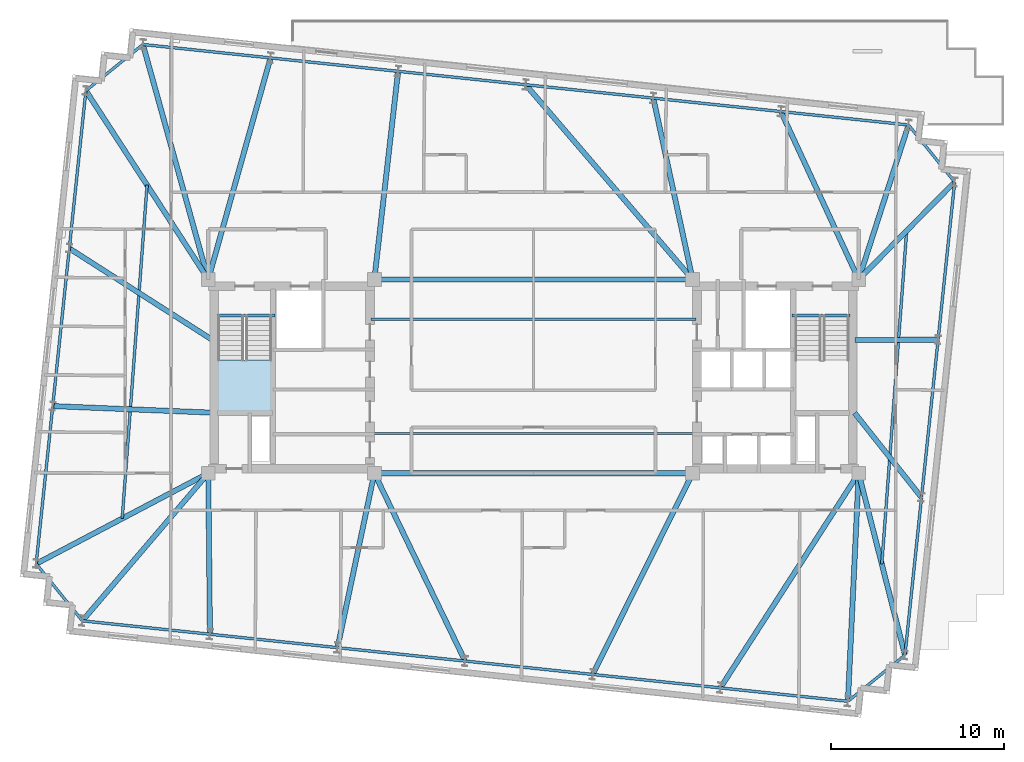
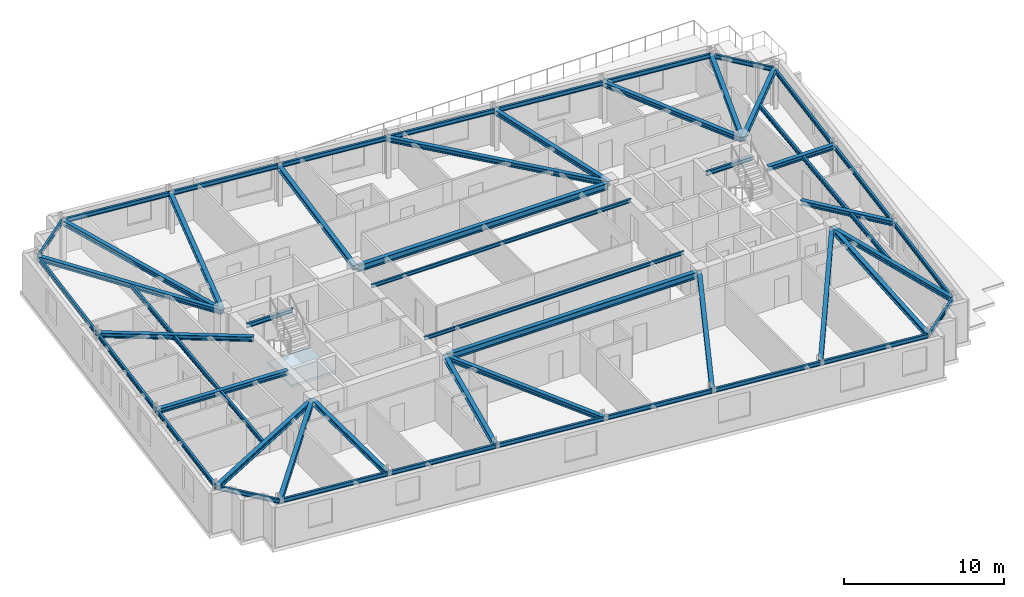
# One storey, part 4 of 13: 52 beams, 1 slab, 1 element without a shape of its own.
"""IFC4 building model written with IfcOpenShell, lengths in metres."""

from ifc_helpers import new_model, si_unit, direction, frame, origin, origin_2d, place, context, subcontext, project, spatial, polyline, i_section, outline, extrude, material, layer, layer_set, material_profile, profile_set, type_object, element, aggregate, save


model = new_model("IFC4")

# Units and contexts
model_context = context("Model", 3, precision=1e-05, world=origin(), true_north=direction((0.0, 1.0)))
body_context = subcontext(model_context, "Body", "Model", "MODEL_VIEW")
ifc_project = project(units=[si_unit("LENGTHUNIT", "METRE"), si_unit("AREAUNIT", "SQUARE_METRE"), si_unit("VOLUMEUNIT", "CUBIC_METRE"), si_unit("PLANEANGLEUNIT", "RADIAN"), si_unit("MASSUNIT", "GRAM", prefix="KILO")], contexts=[model_context])

# Site, building, storey
site_placement = place(None, origin())
site = spatial("IfcSite", under=ifc_project, at=site_placement, CompositionType="ELEMENT")
building_placement = place(site_placement, origin())
building = spatial("IfcBuilding", under=site, at=building_placement, Name="Qobustan Lattice House", CompositionType="ELEMENT")
storey_placement = place(building_placement, frame((0.0, 0.0, 179.64990234375)))
storey = spatial("IfcBuildingStorey", under=building, at=storey_placement, Name="L50", CompositionType="ELEMENT", Elevation=179.64990234375)

# Beams
ifc_material_1 = material(Name="Steel S355", Category="steel")
ifc_material_profile_1 = material_profile(ifc_material_1, i_section(OverallWidth=0.300048828125, OverallDepth=0.5, WebThickness=0.014404296875, FlangeThickness=0.028076171875, FilletRadius=0.027099609375, at=origin_2d()), Name="HEB500")
ifc_profile_set_1 = profile_set([ifc_material_profile_1], Name="Steel S355")
beam_type_1 = type_object("IfcBeamType", Name="BM-CG-HEB500", PredefinedType="USERDEFINED", material=ifc_profile_set_1)
for number, where, z_axis, x_axis, name in (
    (1, (-9.050048828125, -5.60009765625, 2.7900390625), (1.0, 0.0, 0.0), (0.0, 1.0, 0.0), "L50 core spine girder CG-CS"),
    (2, (-9.050048828125, 5.60009765625, 2.7900390625), (1.0, 0.0, 0.0), (0.0, 1.0, 0.0), "L50 core spine girder CG-CN"),
):
    element("IfcBeam", number, at=place(storey_placement, frame(where, z_axis=z_axis, x_axis=x_axis)), inside=storey, type_object=beam_type_1, Name=name, ObjectType="GIRDER", PredefinedType="USERDEFINED", context=body_context, shape_type="SweptSolid", body=[
        extrude(i_section(OverallWidth=0.300048828125, OverallDepth=0.5, WebThickness=0.014404296875, FlangeThickness=0.028076171875, FilletRadius=0.027099609375, at=origin_2d()), origin(), (0.0, 0.0, 1.0), 18.10009765625),
    ])
ifc_material_2 = material(Name="Steel S355", Category="steel")
ifc_material_profile_2 = material_profile(ifc_material_2, i_section(OverallWidth=0.300048828125, OverallDepth=0.360107421875, WebThickness=0.012451171875, FlangeThickness=0.0224609375, FilletRadius=0.027099609375, at=origin_2d()), Name="HEB360")
ifc_profile_set_2 = profile_set([ifc_material_profile_2], Name="Steel S355")
beam_type_2 = type_object("IfcBeamType", Name="BM-FLG-HEB360", PredefinedType="USERDEFINED", material=ifc_profile_set_2)
beam_1_placement = place(storey_placement, frame((-26.062744140625, -14.113525390625, 2.860107421875), z_axis=(0.649006911642, 0.760782510736, 0.0), x_axis=(-0.760782510736, 0.649006911642, 0.0)))
element("IfcBeam", 3, at=beam_1_placement, inside=storey, type_object=beam_type_2, Name="L50 primary floor girder RAD-S1W", ObjectType="GIRDER", PredefinedType="USERDEFINED", context=body_context, shape_type="SweptSolid", body=[
    extrude(i_section(OverallWidth=0.300048828125, OverallDepth=0.360107421875, WebThickness=0.012451171875, FlangeThickness=0.0224609375, FilletRadius=0.027099609375, at=origin_2d()), origin(), (0.0, 0.0, 1.0), 11.16552734375),
])
beam_2_placement = place(storey_placement, frame((-18.703125, -14.8828125, 2.860107421875), z_axis=(-0.010442468578, 0.999945475939, 0.0), x_axis=(-0.999945475939, -0.010442468578, 0.0)))
element("IfcBeam", 4, at=beam_2_placement, inside=storey, type_object=beam_type_2, Name="L50 primary floor girder RAD-S2", ObjectType="GIRDER", PredefinedType="USERDEFINED", context=body_context, shape_type="SweptSolid", body=[
    extrude(i_section(OverallWidth=0.300048828125, OverallDepth=0.360107421875, WebThickness=0.012451171875, FlangeThickness=0.0224609375, FilletRadius=0.027099609375, at=origin_2d()), origin(), (0.0, 0.0, 1.0), 9.25830078125),
])
beam_3_placement = place(storey_placement, frame((-11.32177734375, -15.658447265625, 2.860107421875), z_axis=(0.206411213198, 0.978465334627, 0.0), x_axis=(-0.978465334627, 0.206411213198, 0.0)))
element("IfcBeam", 5, at=beam_3_placement, inside=storey, type_object=beam_type_2, Name="L50 primary floor girder RAD-S3", ObjectType="GIRDER", PredefinedType="USERDEFINED", context=body_context, shape_type="SweptSolid", body=[
    extrude(i_section(OverallWidth=0.300048828125, OverallDepth=0.360107421875, WebThickness=0.012451171875, FlangeThickness=0.0224609375, FilletRadius=0.027099609375, at=origin_2d()), origin(), (0.0, 0.0, 1.0), 10.2548828125),
])
beam_4_placement = place(storey_placement, frame((-3.9619140625, -16.435791015625, 2.860107421875), z_axis=(-0.435229353302, 0.900319615483, 0.0), x_axis=(-0.900319615483, -0.435229353302, 0.0)))
element("IfcBeam", 6, at=beam_4_placement, inside=storey, type_object=beam_type_2, Name="L50 primary floor girder RAD-S4", ObjectType="GIRDER", PredefinedType="USERDEFINED", context=body_context, shape_type="SweptSolid", body=[
    extrude(i_section(OverallWidth=0.300048828125, OverallDepth=0.360107421875, WebThickness=0.012451171875, FlangeThickness=0.0224609375, FilletRadius=0.027099609375, at=origin_2d()), origin(), (0.0, 0.0, 1.0), 12.010498046875),
])
beam_5_placement = place(storey_placement, frame((3.436279296875, -17.211181640625, 2.860107421875), z_axis=(0.444630337125, 0.895714163843, 0.0), x_axis=(-0.895714163843, 0.444630337125, 0.0)))
element("IfcBeam", 7, at=beam_5_placement, inside=storey, type_object=beam_type_2, Name="L50 primary floor girder RAD-S5", ObjectType="GIRDER", PredefinedType="USERDEFINED", context=body_context, shape_type="SweptSolid", body=[
    extrude(i_section(OverallWidth=0.300048828125, OverallDepth=0.360107421875, WebThickness=0.012451171875, FlangeThickness=0.0224609375, FilletRadius=0.027099609375, at=origin_2d()), origin(), (0.0, 0.0, 1.0), 12.938232421875),
])
beam_6_placement = place(storey_placement, frame((10.814697265625, -17.98779296875, 2.860107421875), z_axis=(0.541810491961, 0.840500678644, 0.0), x_axis=(-0.840500678644, 0.541810491961, 0.0)))
element("IfcBeam", 8, at=beam_6_placement, inside=storey, type_object=beam_type_2, Name="L50 primary floor girder RAD-S6", ObjectType="GIRDER", PredefinedType="USERDEFINED", context=body_context, shape_type="SweptSolid", body=[
    extrude(i_section(OverallWidth=0.300048828125, OverallDepth=0.360107421875, WebThickness=0.012451171875, FlangeThickness=0.0224609375, FilletRadius=0.027099609375, at=origin_2d()), origin(), (0.0, 0.0, 1.0), 14.71337890625),
])
beam_7_placement = place(storey_placement, frame((18.178466796875, -18.759033203125, 2.860107421875), z_axis=(0.047180517312, 0.998886379318, 0.0), x_axis=(-0.998886379318, 0.047180517312, 0.0)))
element("IfcBeam", 9, at=beam_7_placement, inside=storey, type_object=beam_type_2, Name="L50 primary floor girder RAD-S7E", ObjectType="GIRDER", PredefinedType="USERDEFINED", context=body_context, shape_type="SweptSolid", body=[
    extrude(i_section(OverallWidth=0.300048828125, OverallDepth=0.360107421875, WebThickness=0.012451171875, FlangeThickness=0.0224609375, FilletRadius=0.027099609375, at=origin_2d()), origin(), (0.0, 0.0, 1.0), 13.148681640625),
])
beam_8_placement = place(storey_placement, frame((-22.570556640625, 19.159912109375, 2.860107421875), z_axis=(0.267904661715, -0.963445427739, 0.0), x_axis=(0.963445427739, 0.267904661715, 0.0)))
element("IfcBeam", 10, at=beam_8_placement, inside=storey, type_object=beam_type_2, Name="L50 primary floor girder RAD-N7W", ObjectType="GIRDER", PredefinedType="USERDEFINED", context=body_context, shape_type="SweptSolid", body=[
    extrude(i_section(OverallWidth=0.300048828125, OverallDepth=0.360107421875, WebThickness=0.012451171875, FlangeThickness=0.0224609375, FilletRadius=0.027099609375, at=origin_2d()), origin(), (0.0, 0.0, 1.0), 14.049560546875),
])
beam_9_placement = place(storey_placement, frame((-15.2080078125, 18.384521484375, 2.860107421875), z_axis=(-0.270487929903, -0.962723366174, 0.0), x_axis=(0.962723366174, -0.270487929903, 0.0)))
element("IfcBeam", 11, at=beam_9_placement, inside=storey, type_object=beam_type_2, Name="L50 primary floor girder RAD-N6", ObjectType="GIRDER", PredefinedType="USERDEFINED", context=body_context, shape_type="SweptSolid", body=[
    extrude(i_section(OverallWidth=0.300048828125, OverallDepth=0.360107421875, WebThickness=0.012451171875, FlangeThickness=0.0224609375, FilletRadius=0.027099609375, at=origin_2d()), origin(), (0.0, 0.0, 1.0), 13.254638671875),
])
beam_10_placement = place(storey_placement, frame((-7.827880859375, 17.608642578125, 2.860107421875), z_axis=(-0.11353003651, -0.993534564477, 0.0), x_axis=(0.993534564477, -0.11353003651, 0.0)))
element("IfcBeam", 12, at=beam_10_placement, inside=storey, type_object=beam_type_2, Name="L50 primary floor girder RAD-N5", ObjectType="GIRDER", PredefinedType="USERDEFINED", context=body_context, shape_type="SweptSolid", body=[
    extrude(i_section(OverallWidth=0.300048828125, OverallDepth=0.360107421875, WebThickness=0.012451171875, FlangeThickness=0.0224609375, FilletRadius=0.027099609375, at=origin_2d()), origin(), (0.0, 0.0, 1.0), 12.061767578125),
])
beam_11_placement = place(storey_placement, frame((-0.432861328125, 16.839111328125, 2.860107421875), z_axis=(0.650757358368, -0.759285756833, 0.0), x_axis=(0.759285756833, 0.650757358368, 0.0)))
element("IfcBeam", 13, at=beam_11_placement, inside=storey, type_object=beam_type_2, Name="L50 primary floor girder RAD-N4", ObjectType="GIRDER", PredefinedType="USERDEFINED", context=body_context, shape_type="SweptSolid", body=[
    extrude(i_section(OverallWidth=0.300048828125, OverallDepth=0.360107421875, WebThickness=0.012451171875, FlangeThickness=0.0224609375, FilletRadius=0.027099609375, at=origin_2d()), origin(), (0.0, 0.0, 1.0), 14.77734375),
])
beam_12_placement = place(storey_placement, frame((6.93212890625, 16.05859375, 2.860107421875), z_axis=(0.211908420044, -0.977289527988, 0.0), x_axis=(0.977289527988, 0.211908420044, 0.0)))
element("IfcBeam", 14, at=beam_12_placement, inside=storey, type_object=beam_type_2, Name="L50 primary floor girder RAD-N3", ObjectType="GIRDER", PredefinedType="USERDEFINED", context=body_context, shape_type="SweptSolid", body=[
    extrude(i_section(OverallWidth=0.300048828125, OverallDepth=0.360107421875, WebThickness=0.012451171875, FlangeThickness=0.0224609375, FilletRadius=0.027099609375, at=origin_2d()), origin(), (0.0, 0.0, 1.0), 10.676513671875),
])
beam_13_placement = place(storey_placement, frame((14.3134765625, 15.284912109375, 2.860107421875), z_axis=(0.420345924661, -0.907363931188, 0.0), x_axis=(0.907363931188, 0.420345924661, 0.0)))
element("IfcBeam", 15, at=beam_13_placement, inside=storey, type_object=beam_type_2, Name="L50 primary floor girder RAD-N2", ObjectType="GIRDER", PredefinedType="USERDEFINED", context=body_context, shape_type="SweptSolid", body=[
    extrude(i_section(OverallWidth=0.300048828125, OverallDepth=0.360107421875, WebThickness=0.012451171875, FlangeThickness=0.0224609375, FilletRadius=0.027099609375, at=origin_2d()), origin(), (0.0, 0.0, 1.0), 10.6484375),
])
beam_14_placement = place(storey_placement, frame((21.67138671875, 14.5087890625, 2.860107421875), z_axis=(-0.306773532579, -0.951782538035, 0.0), x_axis=(0.951782538035, -0.306773532579, 0.0)))
element("IfcBeam", 16, at=beam_14_placement, inside=storey, type_object=beam_type_2, Name="L50 primary floor girder RAD-N1E", ObjectType="GIRDER", PredefinedType="USERDEFINED", context=body_context, shape_type="SweptSolid", body=[
    extrude(i_section(OverallWidth=0.300048828125, OverallDepth=0.360107421875, WebThickness=0.012451171875, FlangeThickness=0.0224609375, FilletRadius=0.027099609375, at=origin_2d()), origin(), (0.0, 0.0, 1.0), 9.335205078125),
])
beam_15_placement = place(storey_placement, frame((-25.86083984375, 16.492919921875, 2.860107421875), z_axis=(0.543926170046, -0.839133077371, 0.0), x_axis=(0.839133077371, 0.543926170046, 0.0)))
element("IfcBeam", 17, at=beam_15_placement, inside=storey, type_object=beam_type_2, Name="L50 primary floor girder RAD-W1", ObjectType="GIRDER", PredefinedType="USERDEFINED", context=body_context, shape_type="SweptSolid", body=[
    extrude(i_section(OverallWidth=0.300048828125, OverallDepth=0.360107421875, WebThickness=0.012451171875, FlangeThickness=0.0224609375, FilletRadius=0.027099609375, at=origin_2d()), origin(), (0.0, 0.0, 1.0), 12.9560546875),
])
beam_16_placement = place(storey_placement, frame((-26.8115234375, 7.384033203125, 2.860107421875), z_axis=(0.842429105495, -0.538807203195, 0.0), x_axis=(0.538807203195, 0.842429105495, 0.0)))
element("IfcBeam", 18, at=beam_16_placement, inside=storey, type_object=beam_type_2, Name="L50 primary floor girder RAD-W2", ObjectType="GIRDER", PredefinedType="USERDEFINED", context=body_context, shape_type="SweptSolid", body=[
    extrude(i_section(OverallWidth=0.300048828125, OverallDepth=0.360107421875, WebThickness=0.012451171875, FlangeThickness=0.0224609375, FilletRadius=0.027099609375, at=origin_2d()), origin(), (0.0, 0.0, 1.0), 9.78173828125),
])
beam_17_placement = place(storey_placement, frame((-27.765869140625, -1.719970703125, 2.860107421875), z_axis=(0.999150190925, -0.041217665795, 0.0), x_axis=(0.041217665795, 0.999150190925, 0.0)))
element("IfcBeam", 19, at=beam_17_placement, inside=storey, type_object=beam_type_2, Name="L50 primary floor girder RAD-W3", ObjectType="GIRDER", PredefinedType="USERDEFINED", context=body_context, shape_type="SweptSolid", body=[
    extrude(i_section(OverallWidth=0.300048828125, OverallDepth=0.360107421875, WebThickness=0.012451171875, FlangeThickness=0.0224609375, FilletRadius=0.027099609375, at=origin_2d()), origin(), (0.0, 0.0, 1.0), 9.19873046875),
])
beam_18_placement = place(storey_placement, frame((-28.726806640625, -10.82373046875, 2.860107421875), z_axis=(0.884950868639, 0.465684399669, 0.0), x_axis=(-0.465684399669, 0.884950868639, 0.0)))
element("IfcBeam", 20, at=beam_18_placement, inside=storey, type_object=beam_type_2, Name="L50 primary floor girder RAD-W4", ObjectType="GIRDER", PredefinedType="USERDEFINED", context=body_context, shape_type="SweptSolid", body=[
    extrude(i_section(OverallWidth=0.300048828125, OverallDepth=0.360107421875, WebThickness=0.012451171875, FlangeThickness=0.0224609375, FilletRadius=0.027099609375, at=origin_2d()), origin(), (0.0, 0.0, 1.0), 11.1923828125),
])
beam_19_placement = place(storey_placement, frame((24.331298828125, 11.217529296875, 2.860107421875), z_axis=(-0.701633616284, -0.712537906712, 0.0), x_axis=(0.712537906712, -0.701633616284, 0.0)))
element("IfcBeam", 21, at=beam_19_placement, inside=storey, type_object=beam_type_2, Name="L50 primary floor girder RAD-E4", ObjectType="GIRDER", PredefinedType="USERDEFINED", context=body_context, shape_type="SweptSolid", body=[
    extrude(i_section(OverallWidth=0.300048828125, OverallDepth=0.360107421875, WebThickness=0.012451171875, FlangeThickness=0.0224609375, FilletRadius=0.027099609375, at=origin_2d()), origin(), (0.0, 0.0, 1.0), 7.858642578125),
])
beam_20_placement = place(storey_placement, frame((23.36572265625, 2.118896484375, 2.860107421875), z_axis=(-0.999992301331, -0.003923936564, 0.0), x_axis=(0.003923936564, -0.999992301331, 0.0)))
element("IfcBeam", 22, at=beam_20_placement, inside=storey, type_object=beam_type_2, Name="L50 primary floor girder RAD-E3", ObjectType="GIRDER", PredefinedType="USERDEFINED", context=body_context, shape_type="SweptSolid", body=[
    extrude(i_section(OverallWidth=0.300048828125, OverallDepth=0.360107421875, WebThickness=0.012451171875, FlangeThickness=0.0224609375, FilletRadius=0.027099609375, at=origin_2d()), origin(), (0.0, 0.0, 1.0), 4.790771484375),
])
beam_21_placement = place(storey_placement, frame((22.4169921875, -6.97802734375, 2.860107421875), z_axis=(-0.621231320857, 0.783627236629, 0.0), x_axis=(-0.783627236629, -0.621231320857, 0.0)))
element("IfcBeam", 23, at=beam_21_placement, inside=storey, type_object=beam_type_2, Name="L50 primary floor girder RAD-E2", ObjectType="GIRDER", PredefinedType="USERDEFINED", context=body_context, shape_type="SweptSolid", body=[
    extrude(i_section(OverallWidth=0.300048828125, OverallDepth=0.360107421875, WebThickness=0.012451171875, FlangeThickness=0.0224609375, FilletRadius=0.027099609375, at=origin_2d()), origin(), (0.0, 0.0, 1.0), 6.199951171875),
])
beam_22_placement = place(storey_placement, frame((21.46826171875, -16.08984375, 2.860107421875), z_axis=(-0.246517911643, 0.969138235361, 0.0), x_axis=(-0.969138235361, -0.246517911643, 0.0)))
element("IfcBeam", 24, at=beam_22_placement, inside=storey, type_object=beam_type_2, Name="L50 primary floor girder RAD-E1", ObjectType="GIRDER", PredefinedType="USERDEFINED", context=body_context, shape_type="SweptSolid", body=[
    extrude(i_section(OverallWidth=0.300048828125, OverallDepth=0.360107421875, WebThickness=0.012451171875, FlangeThickness=0.0224609375, FilletRadius=0.027099609375, at=origin_2d()), origin(), (0.0, 0.0, 1.0), 10.798828125),
])
ifc_material_3 = material(Name="Steel S355", Category="steel")
ifc_material_profile_3 = material_profile(ifc_material_3, i_section(OverallWidth=0.135009765625, OverallDepth=0.27001953125, WebThickness=0.006591796875, FlangeThickness=0.01025390625, FilletRadius=0.014892578125, at=origin_2d()), Name="IPE270")
ifc_profile_set_3 = profile_set([ifc_material_profile_3], Name="Steel S355")
beam_type_3 = type_object("IfcBeamType", Name="BM-JST-IPE270", PredefinedType="JOIST", material=ifc_profile_set_3)
for number, where, z_axis, x_axis, name in (
    (25, (-9.39990234375, -3.300048828125, 2.905029296875), (1.0, 0.0, 0.0), (0.0, 1.0, 0.0), "L50 central span floor joist 1"),
    (26, (-9.39990234375, 3.300048828125, 2.905029296875), (1.0, 0.0, 0.0), (0.0, 1.0, 0.0), "L50 central span floor joist 2"),
):
    element("IfcBeam", number, at=place(storey_placement, frame(where, z_axis=z_axis, x_axis=x_axis)), inside=storey, type_object=beam_type_3, Name=name, PredefinedType="JOIST", context=body_context, shape_type="SweptSolid", body=[
        extrude(i_section(OverallWidth=0.135009765625, OverallDepth=0.27001953125, WebThickness=0.006591796875, FlangeThickness=0.01025390625, FilletRadius=0.014892578125, at=origin_2d()), origin(), (0.0, 0.0, 1.0), 18.7998046875),
    ])
ifc_material_4 = material(Name="Steel S355", Category="steel")
ifc_material_profile_4 = material_profile(ifc_material_4, i_section(OverallWidth=0.159912109375, OverallDepth=0.330078125, WebThickness=0.007568359375, FlangeThickness=0.011474609375, FilletRadius=0.01806640625, at=origin_2d()), Name="IPE330")
ifc_profile_set_4 = profile_set([ifc_material_profile_4], Name="Steel S355")
beam_type_4 = type_object("IfcBeamType", Name="BM-SEC-IPE330", PredefinedType="BEAM", material=ifc_profile_set_4)
beam_23_placement = place(storey_placement, frame((-22.337158203125, 11.056884765625, 2.875), z_axis=(-0.074361616657, -0.997231342251, 0.0), x_axis=(0.997231342251, -0.074361616657, 0.0)))
element("IfcBeam", 27, at=beam_23_placement, inside=storey, type_object=beam_type_4, Name="L50 west wing secondary beam", PredefinedType="BEAM", context=body_context, shape_type="SweptSolid", body=[
    extrude(i_section(OverallWidth=0.159912109375, OverallDepth=0.330078125, WebThickness=0.007568359375, FlangeThickness=0.011474609375, FilletRadius=0.01806640625, at=origin_2d()), origin(), (0.0, 0.0, 1.0), 19.327880859375),
])
beam_24_placement = place(storey_placement, frame((21.574462890625, 8.417724609375, 2.875), z_axis=(-0.074360679971, -0.997231412098, 0.0), x_axis=(0.997231412098, -0.074360679971, 0.0)))
element("IfcBeam", 28, at=beam_24_placement, inside=storey, type_object=beam_type_4, Name="L50 east wing secondary beam", PredefinedType="BEAM", context=body_context, shape_type="SweptSolid", body=[
    extrude(i_section(OverallWidth=0.159912109375, OverallDepth=0.330078125, WebThickness=0.007568359375, FlangeThickness=0.011474609375, FilletRadius=0.01806640625, at=origin_2d()), origin(), (0.0, 0.0, 1.0), 19.328125),
])
ifc_material_5 = material(Name="Steel S355", Category="steel")
ifc_material_profile_5 = material_profile(ifc_material_5, i_section(OverallWidth=0.159912109375, OverallDepth=0.330078125, WebThickness=0.007568359375, FlangeThickness=0.011474609375, FilletRadius=0.01806640625, at=origin_2d()), Name="IPE330")
ifc_profile_set_5 = profile_set([ifc_material_profile_5], Name="Steel S355")
beam_type_5 = type_object("IfcBeamType", Name="BM-SPD-IPE330", PredefinedType="SPANDREL", material=ifc_profile_set_5)
for number, where, z_axis, x_axis, name in (
    (29, (-18.300048828125, 3.52001953125, 2.875), (1.0, 0.0, 0.0), (0.0, 1.0, 0.0), "L50 west stair landing trimmer beam"),
    (30, (14.949951171875, 3.52001953125, 2.875), (1.0, 0.0, 0.0), (0.0, 1.0, 0.0), "L50 east stair landing trimmer beam"),
):
    element("IfcBeam", number, at=place(storey_placement, frame(where, z_axis=z_axis, x_axis=x_axis)), inside=storey, type_object=beam_type_5, Name=name, PredefinedType="SPANDREL", context=body_context, shape_type="SweptSolid", body=[
        extrude(i_section(OverallWidth=0.159912109375, OverallDepth=0.330078125, WebThickness=0.007568359375, FlangeThickness=0.011474609375, FilletRadius=0.01806640625, at=origin_2d()), origin(), (0.0, 0.0, 1.0), 3.35009765625),
    ])
beam_25_placement = place(storey_placement, frame((-26.05419921875, -14.135009765625, 2.875), z_axis=(0.99452214685, -0.104526070551, 0.0), x_axis=(0.104526070551, 0.99452214685, 0.0)))
element("IfcBeam", 31, at=beam_25_placement, inside=storey, type_object=beam_type_5, Name="L50 perimeter spandrel S1-S2", PredefinedType="SPANDREL", context=body_context, shape_type="SweptSolid", body=[
    extrude(i_section(OverallWidth=0.159912109375, OverallDepth=0.330078125, WebThickness=0.007568359375, FlangeThickness=0.011474609375, FilletRadius=0.01806640625, at=origin_2d()), origin(), (0.0, 0.0, 1.0), 7.36669921875),
])
for number, where, z_axis, x_axis, name in (
    (32, (-18.677978515625, -14.910400390625, 2.875), (0.994521784746, -0.104529515765, 0.0), (0.104529515765, 0.994521784746, 0.0), "L50 perimeter spandrel S2-S3"),
    (33, (-11.302001953125, -15.685546875, 2.875), (0.994521784746, -0.104529515765, 0.0), (0.104529515765, 0.994521784746, 0.0), "L50 perimeter spandrel S3-S4"),
):
    element("IfcBeam", number, at=place(storey_placement, frame(where, z_axis=z_axis, x_axis=x_axis)), inside=storey, type_object=beam_type_5, Name=name, PredefinedType="SPANDREL", context=body_context, shape_type="SweptSolid", body=[
        extrude(i_section(OverallWidth=0.159912109375, OverallDepth=0.330078125, WebThickness=0.007568359375, FlangeThickness=0.011474609375, FilletRadius=0.01806640625, at=origin_2d()), origin(), (0.0, 0.0, 1.0), 7.366455078125),
    ])
beam_26_placement = place(storey_placement, frame((-3.926025390625, -16.460693359375, 2.875), z_axis=(0.99451870122, -0.10455884909, 0.0), x_axis=(0.10455884909, 0.99451870122, 0.0)))
element("IfcBeam", 34, at=beam_26_placement, inside=storey, type_object=beam_type_5, Name="L50 perimeter spandrel S4-S5", PredefinedType="SPANDREL", context=body_context, shape_type="SweptSolid", body=[
    extrude(i_section(OverallWidth=0.159912109375, OverallDepth=0.330078125, WebThickness=0.007568359375, FlangeThickness=0.011474609375, FilletRadius=0.01806640625, at=origin_2d()), origin(), (0.0, 0.0, 1.0), 7.36669921875),
])
for number, where, z_axis, x_axis, name in (
    (35, (3.4501953125, -17.236083984375, 2.875), (0.994521784746, -0.104529515765, 0.0), (0.104529515765, 0.994521784746, 0.0), "L50 perimeter spandrel S5-S6"),
    (36, (10.826171875, -18.01123046875, 2.875), (0.99451833889, -0.104562295361, 0.0), (0.104562295361, 0.99451833889, 0.0), "L50 perimeter spandrel S6-S7"),
):
    element("IfcBeam", number, at=place(storey_placement, frame(where, z_axis=z_axis, x_axis=x_axis)), inside=storey, type_object=beam_type_5, Name=name, PredefinedType="SPANDREL", context=body_context, shape_type="SweptSolid", body=[
        extrude(i_section(OverallWidth=0.159912109375, OverallDepth=0.330078125, WebThickness=0.007568359375, FlangeThickness=0.011474609375, FilletRadius=0.01806640625, at=origin_2d()), origin(), (0.0, 0.0, 1.0), 7.366455078125),
    ])
beam_27_placement = place(storey_placement, frame((18.19677734375, -18.768310546875, 2.875), z_axis=(0.777128239225, 0.629342275554, 0.0), x_axis=(-0.629342275554, 0.777128239225, 0.0)))
element("IfcBeam", 37, at=beam_27_placement, inside=storey, type_object=beam_type_5, Name="L50 perimeter spandrel S7-E1", PredefinedType="SPANDREL", context=body_context, shape_type="SweptSolid", body=[
    extrude(i_section(OverallWidth=0.159912109375, OverallDepth=0.330078125, WebThickness=0.007568359375, FlangeThickness=0.011474609375, FilletRadius=0.01806640625, at=origin_2d()), origin(), (0.0, 0.0, 1.0), 4.192626953125),
])
for number, where, z_axis, x_axis, name in (
    (38, (21.47705078125, -16.089111328125, 2.875), (0.10452168293, 0.994522607987, 0.0), (-0.994522607987, 0.10452168293, 0.0), "L50 perimeter spandrel E1-E2"),
    (39, (22.435302734375, -6.97265625, 2.875), (0.10452168293, 0.994522607987, 0.0), (-0.994522607987, 0.10452168293, 0.0), "L50 perimeter spandrel E2-E3"),
    (40, (23.393310546875, 2.143798828125, 2.875), (0.10452168293, 0.994522607987, 0.0), (-0.994522607987, 0.10452168293, 0.0), "L50 perimeter spandrel E3-E4"),
):
    element("IfcBeam", number, at=place(storey_placement, frame(where, z_axis=z_axis, x_axis=x_axis)), inside=storey, type_object=beam_type_5, Name=name, PredefinedType="SPANDREL", context=body_context, shape_type="SweptSolid", body=[
        extrude(i_section(OverallWidth=0.159912109375, OverallDepth=0.330078125, WebThickness=0.007568359375, FlangeThickness=0.011474609375, FilletRadius=0.01806640625, at=origin_2d()), origin(), (0.0, 0.0, 1.0), 9.11669921875),
    ])
beam_28_placement = place(storey_placement, frame((24.333251953125, 11.254638671875, 2.875), z_axis=(-0.629313797654, 0.777151300637, 0.0), x_axis=(-0.777151300637, -0.629313797654, 0.0)))
element("IfcBeam", 41, at=beam_28_placement, inside=storey, type_object=beam_type_5, Name="L50 perimeter spandrel E4-N1", PredefinedType="SPANDREL", context=body_context, shape_type="SweptSolid", body=[
    extrude(i_section(OverallWidth=0.159912109375, OverallDepth=0.330078125, WebThickness=0.007568359375, FlangeThickness=0.011474609375, FilletRadius=0.01806640625, at=origin_2d()), origin(), (0.0, 0.0, 1.0), 4.19287109375),
])
for number, where, z_axis, x_axis, name in (
    (42, (21.654052734375, 14.53515625, 2.875), (-0.994521784746, 0.104529515765, 0.0), (-0.104529515765, -0.994521784746, 0.0), "L50 perimeter spandrel N1-N2"),
    (43, (14.278076171875, 15.310302734375, 2.875), (-0.994521784746, 0.104529515765, 0.0), (-0.104529515765, -0.994521784746, 0.0), "L50 perimeter spandrel N2-N3"),
):
    element("IfcBeam", number, at=place(storey_placement, frame(where, z_axis=z_axis, x_axis=x_axis)), inside=storey, type_object=beam_type_5, Name=name, PredefinedType="SPANDREL", context=body_context, shape_type="SweptSolid", body=[
        extrude(i_section(OverallWidth=0.159912109375, OverallDepth=0.330078125, WebThickness=0.007568359375, FlangeThickness=0.011474609375, FilletRadius=0.01806640625, at=origin_2d()), origin(), (0.0, 0.0, 1.0), 7.366455078125),
    ])
beam_29_placement = place(storey_placement, frame((6.902099609375, 16.085693359375, 2.875), z_axis=(-0.99452214685, 0.104526070551, 0.0), x_axis=(-0.104526070551, -0.99452214685, 0.0)))
element("IfcBeam", 44, at=beam_29_placement, inside=storey, type_object=beam_type_5, Name="L50 perimeter spandrel N3-N4", PredefinedType="SPANDREL", context=body_context, shape_type="SweptSolid", body=[
    extrude(i_section(OverallWidth=0.159912109375, OverallDepth=0.330078125, WebThickness=0.007568359375, FlangeThickness=0.011474609375, FilletRadius=0.01806640625, at=origin_2d()), origin(), (0.0, 0.0, 1.0), 7.36669921875),
])
for number, where, z_axis, x_axis, name in (
    (45, (-0.47412109375, 16.86083984375, 2.875), (-0.994521784746, 0.104529515765, 0.0), (-0.104529515765, -0.994521784746, 0.0), "L50 perimeter spandrel N4-N5"),
    (46, (-7.85009765625, 17.635986328125, 2.875), (-0.994521784746, 0.104529515765, 0.0), (-0.104529515765, -0.994521784746, 0.0), "L50 perimeter spandrel N5-N6"),
):
    element("IfcBeam", number, at=place(storey_placement, frame(where, z_axis=z_axis, x_axis=x_axis)), inside=storey, type_object=beam_type_5, Name=name, PredefinedType="SPANDREL", context=body_context, shape_type="SweptSolid", body=[
        extrude(i_section(OverallWidth=0.159912109375, OverallDepth=0.330078125, WebThickness=0.007568359375, FlangeThickness=0.011474609375, FilletRadius=0.01806640625, at=origin_2d()), origin(), (0.0, 0.0, 1.0), 7.366455078125),
    ])
beam_30_placement = place(storey_placement, frame((-15.22607421875, 18.411376953125, 2.875), z_axis=(-0.99452214685, 0.104526070551, 0.0), x_axis=(-0.104526070551, -0.99452214685, 0.0)))
element("IfcBeam", 47, at=beam_30_placement, inside=storey, type_object=beam_type_5, Name="L50 perimeter spandrel N6-N7", PredefinedType="SPANDREL", context=body_context, shape_type="SweptSolid", body=[
    extrude(i_section(OverallWidth=0.159912109375, OverallDepth=0.330078125, WebThickness=0.007568359375, FlangeThickness=0.011474609375, FilletRadius=0.01806640625, at=origin_2d()), origin(), (0.0, 0.0, 1.0), 7.36669921875),
])
beam_31_placement = place(storey_placement, frame((-22.5966796875, 19.168212890625, 2.875), z_axis=(-0.777156718239, -0.629307107299, 0.0), x_axis=(0.629307107299, -0.777156718239, 0.0)))
element("IfcBeam", 48, at=beam_31_placement, inside=storey, type_object=beam_type_5, Name="L50 perimeter spandrel N7-W1", PredefinedType="SPANDREL", context=body_context, shape_type="SweptSolid", body=[
    extrude(i_section(OverallWidth=0.159912109375, OverallDepth=0.330078125, WebThickness=0.007568359375, FlangeThickness=0.011474609375, FilletRadius=0.01806640625, at=origin_2d()), origin(), (0.0, 0.0, 1.0), 4.192626953125),
])
beam_32_placement = place(storey_placement, frame((-25.876953125, 16.489013671875, 2.875), z_axis=(-0.104550954592, -0.994519531178, 0.0), x_axis=(0.994519531178, -0.104550954592, 0.0)))
element("IfcBeam", 49, at=beam_32_placement, inside=storey, type_object=beam_type_5, Name="L50 perimeter spandrel W1-W2", PredefinedType="SPANDREL", context=body_context, shape_type="SweptSolid", body=[
    extrude(i_section(OverallWidth=0.159912109375, OverallDepth=0.330078125, WebThickness=0.007568359375, FlangeThickness=0.011474609375, FilletRadius=0.01806640625, at=origin_2d()), origin(), (0.0, 0.0, 1.0), 9.116455078125),
])
beam_33_placement = place(storey_placement, frame((-26.835205078125, 7.372802734375, 2.875), z_axis=(-0.104518899262, -0.994522900539, 0.0), x_axis=(0.994522900539, -0.104518899262, 0.0)))
element("IfcBeam", 50, at=beam_33_placement, inside=storey, type_object=beam_type_5, Name="L50 perimeter spandrel W2-W3", PredefinedType="SPANDREL", context=body_context, shape_type="SweptSolid", body=[
    extrude(i_section(OverallWidth=0.159912109375, OverallDepth=0.330078125, WebThickness=0.007568359375, FlangeThickness=0.011474609375, FilletRadius=0.01806640625, at=origin_2d()), origin(), (0.0, 0.0, 1.0), 9.116943359375),
])
beam_34_placement = place(storey_placement, frame((-27.79345703125, -1.743896484375, 2.875), z_axis=(-0.104524466745, -0.994522315412, 0.0), x_axis=(0.994522315412, -0.104524466745, 0.0)))
element("IfcBeam", 51, at=beam_34_placement, inside=storey, type_object=beam_type_5, Name="L50 perimeter spandrel W3-W4", PredefinedType="SPANDREL", context=body_context, shape_type="SweptSolid", body=[
    extrude(i_section(OverallWidth=0.159912109375, OverallDepth=0.330078125, WebThickness=0.007568359375, FlangeThickness=0.011474609375, FilletRadius=0.01806640625, at=origin_2d()), origin(), (0.0, 0.0, 1.0), 9.116455078125),
])
beam_35_placement = place(storey_placement, frame((-28.733154296875, -10.854736328125, 2.875), z_axis=(0.629307107299, -0.777156718239, 0.0), x_axis=(0.777156718239, 0.629307107299, 0.0)))
element("IfcBeam", 52, at=beam_35_placement, inside=storey, type_object=beam_type_5, Name="L50 perimeter spandrel W4-S1", PredefinedType="SPANDREL", context=body_context, shape_type="SweptSolid", body=[
    extrude(i_section(OverallWidth=0.159912109375, OverallDepth=0.330078125, WebThickness=0.007568359375, FlangeThickness=0.011474609375, FilletRadius=0.01806640625, at=origin_2d()), origin(), (0.0, 0.0, 1.0), 4.192626953125),
])

# Stair, slab
ifc_material_6 = material(Name="Concrete C40/50", Category="concrete")
stair_type = type_object("IfcStairType", Name="STR-CORE-DOGLEG", PredefinedType="HALF_TURN_STAIR", material=ifc_material_6)
stair_placement = place(storey_placement, origin())
stair = element("IfcStair", 53, at=stair_placement, inside=storey, type_object=stair_type, Name="L50 West protected exit stair ST-W1", PredefinedType="HALF_TURN_STAIR")
ifc_material_7 = material(Name="Concrete C40/50", Category="concrete")
ifc_layer = layer(ifc_material_7, 0.199951171875)
ifc_layer_set = layer_set([ifc_layer], Name="Concrete C40/50")
slab_type = type_object("IfcSlabType", Name="SLB-LANDING-200", PredefinedType="LANDING", material=ifc_layer_set)
slab_placement = place(storey_placement, frame((0.0, 0.0, 1.47509765625)))
slab = element("IfcSlab", 54, at=slab_placement, type_object=slab_type, Name="ST-W1 landing 1", PredefinedType="LANDING", context=body_context, shape_type="SweptSolid", body=[
    extrude(outline(polyline([(-18.25, 0.93505859375), (-18.25, -2.050048828125), (-15.1298828125, -2.050048828125), (-15.1298828125, 0.93505859375), (-18.25, 0.93505859375)])), origin(), (0.0, 0.0, 1.0), 0.199951171875),
])
aggregate(stair, [slab])

save(model, "model.ifc")
